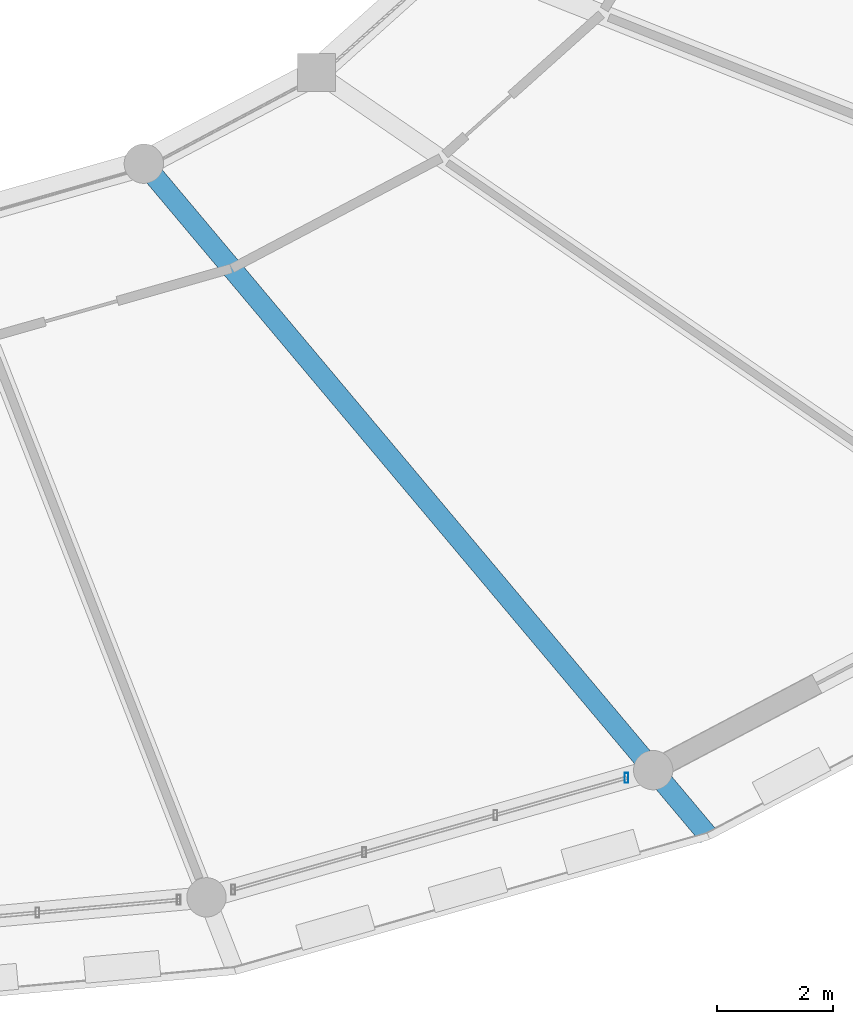
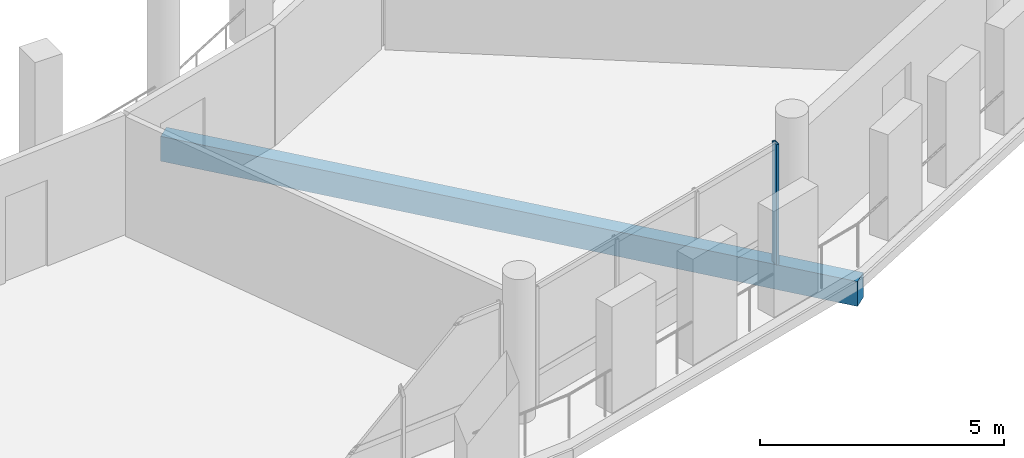
# One storey, part 50 of 128: 1 beam, 1 member, 1 element without a shape of its own.
"""IFC4 building model written with IfcOpenShell, lengths in metres."""

import ifcopenshell
import ifcopenshell.guid

model = None  # the IFC model being written
_history = None  # IfcOwnerHistory: only IFC2X3 demands one
_inside = {}  # id of a spatial element -> (the spatial element, [elements in it])
_under = {}  # id of a project, library or spatial element -> (it, [spatial elements below it])
_declared = {}  # id of a project -> (the project, [libraries it declares])
_typed = {}  # id of a type object -> (the type object, [elements of that type])
_made_of = {}  # id of a material, layer set ... -> (it, [elements and type objects made of it])


def new_model(schema):
    """Start an empty IFC model of exactly this schema.

    Asked for "IFC4X3", IfcOpenShell would pick the latest addendum, in which some entities
    have other attributes; the version numbers below select the first issue.
    IFC2X3 requires an IfcOwnerHistory on every rooted entity: one is made here for all.
    """
    global model, _history
    if schema == "IFC4X3":
        model = ifcopenshell.file(schema_version=(4, 3, 0, 0))
    else:
        model = ifcopenshell.file(schema=schema)
    _inside.clear()
    _under.clear()
    _declared.clear()
    _typed.clear()
    _made_of.clear()
    _history = None
    if model.schema == "IFC2X3":
        org = make("IfcOrganization", Name="unknown")
        user = make(
            "IfcPersonAndOrganization",
            ThePerson=make("IfcPerson", FamilyName="unknown"),
            TheOrganization=org,
        )
        app = make(
            "IfcApplication",
            ApplicationDeveloper=org,
            Version="unknown",
            ApplicationFullName="unknown",
            ApplicationIdentifier="unknown",
        )
        _history = make(
            "IfcOwnerHistory",
            OwningUser=user,
            OwningApplication=app,
            ChangeAction="ADDED",
            CreationDate=0,
        )
    return model


def make(cls, **values):
    """One entity of the class cls with the attributes given. An attribute that is None is left unset."""
    return model.create_entity(
        cls, **{name: value for name, value in values.items() if value is not None}
    )


def rooted(cls, **values):
    """An entity with a GlobalId (a new one), such as an element, a storey or a relation."""
    return make(cls, GlobalId=ifcopenshell.guid.new(), OwnerHistory=_history, **values)


def si_unit(unit_type, name, prefix=None):
    """IfcSIUnit, for example si_unit("LENGTHUNIT", "METRE", prefix="MILLI")."""
    return make("IfcSIUnit", UnitType=unit_type, Prefix=prefix, Name=name)


def assignment(units):
    """IfcUnitAssignment: the units of a project."""
    return None if units is None else make("IfcUnitAssignment", Units=units)


def point(xyz):
    """IfcCartesianPoint."""
    return None if xyz is None else make("IfcCartesianPoint", Coordinates=xyz)


def direction(xyz):
    """IfcDirection."""
    return None if xyz is None else make("IfcDirection", DirectionRatios=xyz)


def frame(location, z_axis=None, x_axis=None):
    """IfcAxis2Placement3D, a coordinate frame: its origin and axes. An axis left out is left unset."""
    return make(
        "IfcAxis2Placement3D",
        Location=point(location),
        Axis=direction(z_axis),
        RefDirection=direction(x_axis),
    )


def frame_2d(location, x_axis=None):
    """IfcAxis2Placement2D, a coordinate frame in the plane: its origin and x axis."""
    return make(
        "IfcAxis2Placement2D", Location=point(location), RefDirection=direction(x_axis)
    )


def origin():
    """The frame at (0, 0, 0) with its axes left unset."""
    return frame((0.0, 0.0, 0.0))


def origin_2d():
    """The frame at (0, 0) in the plane with its x axis left unset."""
    return frame_2d((0.0, 0.0))


def place(relative_to, where):
    """IfcLocalPlacement: puts the frame where relative to a parent placement (None: the world)."""
    return make(
        "IfcLocalPlacement", PlacementRelTo=relative_to, RelativePlacement=where
    )


def context(
    kind, dimensions, precision=None, world=None, true_north=None, identifier=None
):
    """IfcGeometricRepresentationContext, for example the 3D "Model" context."""
    return make(
        "IfcGeometricRepresentationContext",
        ContextIdentifier=identifier,
        ContextType=kind,
        CoordinateSpaceDimension=dimensions,
        Precision=precision,
        WorldCoordinateSystem=world,
        TrueNorth=true_north,
    )


def subcontext(parent, identifier, kind, view, scale=None):
    """IfcGeometricRepresentationSubContext, for example "Body" below "Model"."""
    return make(
        "IfcGeometricRepresentationSubContext",
        ContextIdentifier=identifier,
        ContextType=kind,
        ParentContext=parent,
        TargetScale=scale,
        TargetView=view,
    )


def project(units=None, contexts=None):
    """IfcProject with its units and contexts."""
    return rooted(
        "IfcProject",
        Name="project",
        RepresentationContexts=contexts,
        UnitsInContext=assignment(units),
    )


def spatial(cls, under=None, at=None, **own):
    """A site, building, storey or space (cls), placed at a placement, below another one or the project."""
    s = rooted(cls, ObjectPlacement=at, **own)
    if under is not None:
        _under.setdefault(under.id(), (under, []))[1].append(s)
    return s


def profile(cls, at=None, kind="AREA", **sizes):
    """A parametric profile (cls). Its sizes go by their IFC names, for example OverallWidth=200.0."""
    return make(cls, ProfileType=kind, Position=at, **sizes)


def rectangle(**sizes):
    """IfcRectangleProfileDef."""
    return profile("IfcRectangleProfileDef", **sizes)


def hollow_rectangle(**sizes):
    """IfcRectangleHollowProfileDef."""
    return profile("IfcRectangleHollowProfileDef", **sizes)


def extrude(swept, where, along, depth):
    """IfcExtrudedAreaSolid: the profile swept, set in the frame where, extruded along a direction by depth."""
    return make(
        "IfcExtrudedAreaSolid",
        SweptArea=swept,
        Position=where,
        ExtrudedDirection=direction(along),
        Depth=depth,
    )


def shape(context_of_items, identifier, shape_type, items):
    """IfcShapeRepresentation: the items that make up one representation, for example the "Body"."""
    return make(
        "IfcShapeRepresentation",
        ContextOfItems=context_of_items,
        RepresentationIdentifier=identifier,
        RepresentationType=shape_type,
        Items=items,
    )


def material(Name=None, Category=None):
    """IfcMaterial."""
    return make("IfcMaterial", Name=Name, Category=Category)


def material_profile(
    of_material, cross_section, Name=None, Category=None, Priority=None
):
    """IfcMaterialProfile: a cross section and its material."""
    return make(
        "IfcMaterialProfile",
        Name=Name,
        Material=of_material,
        Profile=cross_section,
        Priority=Priority,
        Category=Category,
    )


def profile_set(profiles, Name=None, composite=None):
    """IfcMaterialProfileSet."""
    return make(
        "IfcMaterialProfileSet",
        Name=Name,
        MaterialProfiles=profiles,
        CompositeProfile=composite,
    )


def made_of(thing, what):
    """Note that an element or type object is made of a material, layer set ...; save() writes the relation."""
    if what is not None:
        _made_of.setdefault(what.id(), (what, []))[1].append(thing)
    return thing


def type_object(cls, material=None, **own):
    """A type object (cls), such as IfcWallType, which elements share."""
    return made_of(rooted(cls, **own), material)


def element(
    cls,
    number,
    at=None,
    inside=None,
    cuts=None,
    type_object=None,
    material=None,
    context=None,
    identifier="Body",
    shape_type=None,
    held_by="IfcProductDefinitionShape",
    body=None,
    shapes=None,
    **own,
):
    """One element of the class cls, such as IfcWall. Its Tag is "e" and its number.

    at: its placement. inside: the storey or other place that contains it. cuts: it is an
    opening in that element (IfcRelVoidsElement). A single representation is given by context,
    identifier, shape_type and body (its items); several are given by shapes. held_by: the class
    of the entity that holds the representations. save() writes the other relations.
    """
    e = rooted(cls, Tag="e%d" % number, ObjectPlacement=at, **own)
    if body is not None:
        shapes = [shape(context, identifier, shape_type, body)]
    if shapes is not None:
        e.Representation = make(held_by, Representations=shapes)
    if inside is not None:
        _inside.setdefault(inside.id(), (inside, []))[1].append(e)
    if cuts is not None:
        rooted(
            "IfcRelVoidsElement", RelatingBuildingElement=cuts, RelatedOpeningElement=e
        )
    if type_object is not None:
        _typed.setdefault(type_object.id(), (type_object, []))[1].append(e)
    return made_of(e, material)


def aggregate(whole, parts):
    """IfcRelAggregates: a whole, such as a stair, and the parts it consists of."""
    return rooted("IfcRelAggregates", RelatingObject=whole, RelatedObjects=parts)


def save(model, path):
    """Write the relations noted so far, then the file.

    IfcRelAggregates (storeys below a building ...), IfcRelContainedInSpatialStructure (elements
    in a storey), IfcRelDefinesByType, IfcRelAssociatesMaterial and IfcRelDeclares: one each for
    every whole, place, type object, material and project.
    """
    for whole, parts in _under.values():
        aggregate(whole, parts)
    for where, things in _inside.values():
        rooted(
            "IfcRelContainedInSpatialStructure",
            RelatedElements=things,
            RelatingStructure=where,
        )
    for kind, things in _typed.values():
        rooted("IfcRelDefinesByType", RelatedObjects=things, RelatingType=kind)
    for what, things in _made_of.values():
        rooted("IfcRelAssociatesMaterial", RelatedObjects=things, RelatingMaterial=what)
    for by, libraries in _declared.values():
        rooted("IfcRelDeclares", RelatingContext=by, RelatedDefinitions=libraries)
    model.write(path)


model = new_model("IFC4")

# Units and contexts
model_context = context("Model", 3, precision=1e-05, world=origin(), true_north=direction((0.0, 1.0)))
body_context = subcontext(model_context, "Body", "Model", "MODEL_VIEW")
ifc_project = project(units=[si_unit("LENGTHUNIT", "METRE"), si_unit("AREAUNIT", "SQUARE_METRE"), si_unit("VOLUMEUNIT", "CUBIC_METRE"), si_unit("PLANEANGLEUNIT", "RADIAN"), si_unit("MASSUNIT", "GRAM", prefix="KILO")], contexts=[model_context])

# Site, building, storey
site_placement = place(None, origin())
site = spatial("IfcSite", under=ifc_project, at=site_placement, CompositionType="ELEMENT")
building_placement = place(site_placement, origin())
building = spatial("IfcBuilding", under=site, at=building_placement, Name="Zornivar Specialist Clinic", CompositionType="ELEMENT")
storey_placement = place(building_placement, frame((0.0, 0.0, 4.5)))
storey = spatial("IfcBuildingStorey", under=building, at=storey_placement, Name="L01", CompositionType="ELEMENT", Elevation=4.5)

# Beam
ifc_material_1 = material(Name="Concrete C30/37", Category="concrete")
ifc_material_profile_1 = material_profile(ifc_material_1, rectangle(XDim=0.35009765625, YDim=0.6201171875, at=origin_2d()), Name="RC 350x620")
ifc_profile_set_1 = profile_set([ifc_material_profile_1], Name="Concrete C30/37")
beam_type = type_object("IfcBeamType", Name="BM-RC-CANT-350x620", PredefinedType="BEAM", material=ifc_profile_set_1)
beam_placement = place(storey_placement, frame((100.800048828125, 49.02587890625, -0.550048828125), z_axis=(0.643102291661, -0.765780283411, 0.0), x_axis=(0.765780283411, 0.643102291661, 0.0)))
element("IfcBeam", 1, at=beam_placement, inside=storey, type_object=beam_type, Name="bm:V1:L01:radcant:20", PredefinedType="BEAM", context=body_context, shape_type="SweptSolid", body=[
    extrude(rectangle(XDim=0.35009765625, YDim=0.6201171875, at=origin_2d()), origin(), (0.0, 0.0, 1.0), 15.176513671875),
])

# Curtain wall, member
ifc_material_2 = material(Name="Aluminium and Low-E Glass Curtain Wall", Category="aluminium")
curtain_wall_type = type_object("IfcCurtainWallType", Name="CW-DRUM-FACET", PredefinedType="NOTDEFINED", material=ifc_material_2)
curtain_wall_placement = place(storey_placement, origin())
curtain_wall = element("IfcCurtainWall", 2, at=curtain_wall_placement, inside=storey, type_object=curtain_wall_type, Name="cw:V1:L01:c19", PredefinedType="NOTDEFINED")
ifc_material_3 = material(Name="Aluminium AW-6060", Category="aluminium")
ifc_material_profile_2 = material_profile(ifc_material_3, hollow_rectangle(XDim=0.06494140625, YDim=0.175048828125, WallThickness=0.00439453125, at=origin_2d()), Name="ALU 65x175x4.5")
ifc_profile_set_2 = profile_set([ifc_material_profile_2], Name="Aluminium AW-6060")
member_type = type_object("IfcMemberType", Name="CWM-MUL-175", PredefinedType="MULLION", material=ifc_profile_set_2)
member_placement = place(storey_placement, frame((109.138916015625, 38.4150390625, 0.0), z_axis=(0.0, 0.0, 1.0), x_axis=(1.0, 0.0, 0.0)))
member = element("IfcMember", 3, at=member_placement, type_object=member_type, Name="cw:V1:L01:c19:mul:3", PredefinedType="MULLION", context=body_context, shape_type="SweptSolid", body=[
    extrude(hollow_rectangle(XDim=0.06494140625, YDim=0.175048828125, WallThickness=0.00439453125, at=origin_2d()), origin(), (0.0, 0.0, 1.0), 3.010009765625),
])
aggregate(curtain_wall, [member])

save(model, "model.ifc")
